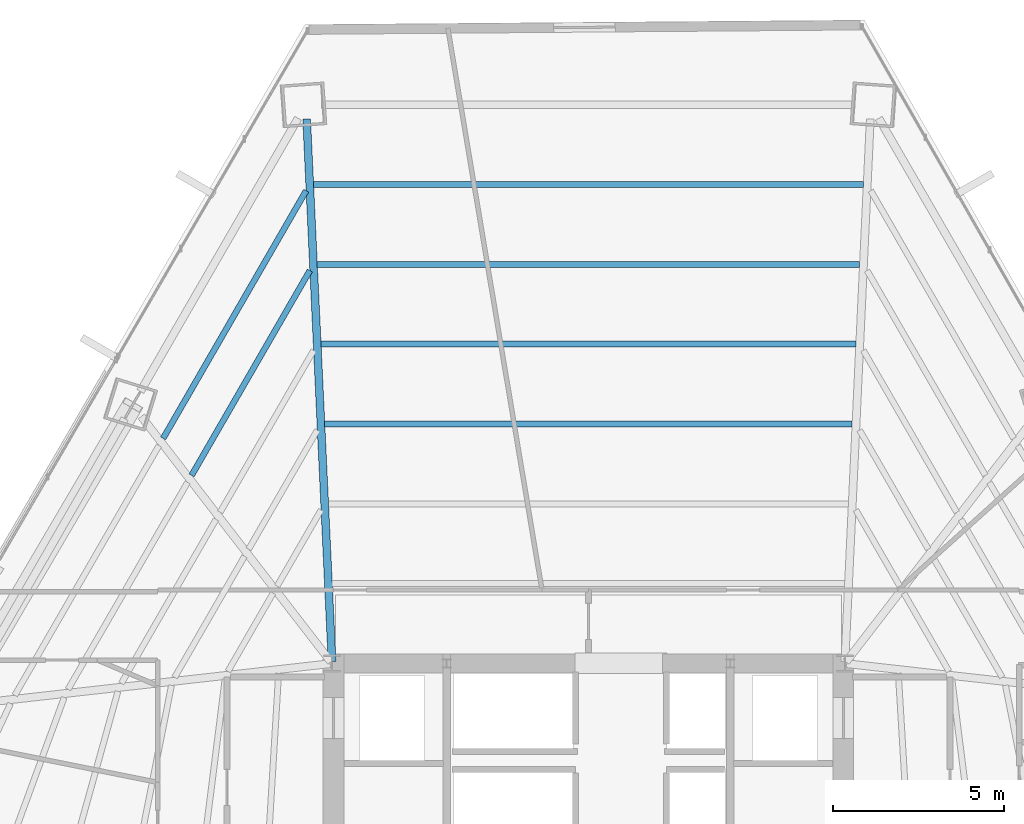
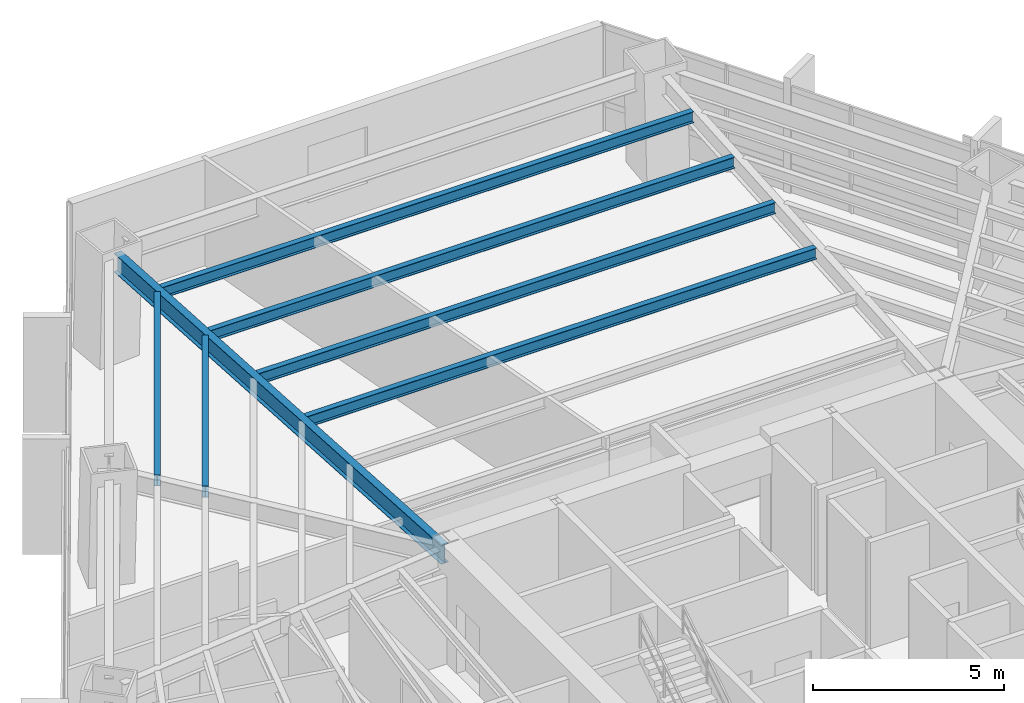
# One storey, part 27 of 38: 7 beams.
"""IFC4 building model written with IfcOpenShell, lengths in metres."""

from ifc_helpers import new_model, si_unit, direction, frame, origin, origin_2d, place, context, subcontext, project, spatial, i_section, extrude, source, transform, mapped, material, material_profile, profile_set, type_object, type_shapes, element, save


model = new_model("IFC4")

# Units and contexts
model_context = context("Model", 3, precision=1e-05, world=origin(), true_north=direction((0.0, 1.0)))
body_context = subcontext(model_context, "Body", "Model", "MODEL_VIEW")
ifc_project = project(units=[si_unit("LENGTHUNIT", "METRE"), si_unit("AREAUNIT", "SQUARE_METRE"), si_unit("VOLUMEUNIT", "CUBIC_METRE"), si_unit("PLANEANGLEUNIT", "RADIAN"), si_unit("MASSUNIT", "GRAM", prefix="KILO")], contexts=[model_context])

# Site, building, storey
site_placement = place(None, origin())
site = spatial("IfcSite", under=ifc_project, at=site_placement, CompositionType="ELEMENT")
building_placement = place(site_placement, origin())
building = spatial("IfcBuilding", under=site, at=building_placement, Name="Caelisora Broadcast Tower", CompositionType="ELEMENT")
storey_placement = place(building_placement, frame((0.0, 0.0, 67.75)))
storey = spatial("IfcBuildingStorey", under=building, at=storey_placement, Name="L17", CompositionType="ELEMENT", Elevation=67.75)

# Beams
ifc_material = material(Name="Steel Grade 350 (AS/NZS 3679.1)", Category="steel")
ifc_material_profile_1 = material_profile(ifc_material, i_section(OverallWidth=0.22802734375, OverallDepth=0.602294921875, WebThickness=0.010498046875, FlangeThickness=0.014892578125, at=origin_2d()), Name="Steel Grade 350 (AS/NZS 3679.1)")
ifc_profile_set_1 = profile_set([ifc_material_profile_1], Name="Steel Grade 350 (AS/NZS 3679.1)")
beam_type_1 = type_object("IfcBeamType", Name="PG04", PredefinedType="BEAM", material=ifc_profile_set_1)
shared_shape_1 = source(origin(), body_context, "Body", "SweptSolid", [
    extrude(i_section(OverallWidth=0.22802734375, OverallDepth=0.602294921875, WebThickness=0.010498046875, FlangeThickness=0.014892578125, at=origin_2d()), origin(), (0.0, 0.0, 1.0), 15.88720703125),
])
type_shapes(beam_type_1, [shared_shape_1])
beam_1_placement = place(storey_placement, frame((30.497314453125, 30.059814453125, 3.098876953125), z_axis=(-0.046762013086, 0.998906058712, 0.0), x_axis=(-0.998906058712, -0.046762013086, 0.0)))
element("IfcBeam", 1, at=beam_1_placement, inside=storey, type_object=beam_type_1, Name="L17 beam PG04", PredefinedType="BEAM", context=body_context, shape_type="MappedRepresentation", body=[
    mapped(shared_shape_1, transform((0.0, 0.0, 0.0), scale=1.0)),
])
ifc_material_profile_2 = material_profile(ifc_material, i_section(OverallWidth=0.172119140625, OverallDepth=0.358642578125, WebThickness=0.008056640625, FlangeThickness=0.012939453125, at=origin_2d()), Name="Steel Grade 350 (AS/NZS 3679.1)")
ifc_profile_set_2 = profile_set([ifc_material_profile_2], Name="Steel Grade 350 (AS/NZS 3679.1)")
beam_type_2 = type_object("IfcBeamType", Name="SB02", PredefinedType="JOIST", material=ifc_profile_set_2)
shared_shape_2 = source(origin(), body_context, "Body", "SweptSolid", [
    extrude(i_section(OverallWidth=0.172119140625, OverallDepth=0.358642578125, WebThickness=0.008056640625, FlangeThickness=0.012939453125, at=origin_2d()), origin(), (0.0, 0.0, 1.0), 15.43359375),
])
beam_2_placement = place(storey_placement, frame((45.716796875, 37.0068359375, 3.220703125), z_axis=(-1.0, 0.0, 0.0), x_axis=(0.0, -1.0, 0.0)))
element("IfcBeam", 2, at=beam_2_placement, inside=storey, type_object=beam_type_2, Name="L17 beam SB02", PredefinedType="JOIST", context=body_context, shape_type="MappedRepresentation", body=[
    mapped(shared_shape_2, transform((0.0, 0.0, 0.0), scale=1.0)),
])
shared_shape_3 = source(origin(), body_context, "Body", "SweptSolid", [
    extrude(i_section(OverallWidth=0.172119140625, OverallDepth=0.358642578125, WebThickness=0.008056640625, FlangeThickness=0.012939453125, at=origin_2d()), origin(), (0.0, 0.0, 1.0), 15.65234375),
])
beam_3_placement = place(storey_placement, frame((45.826171875, 39.34228515625, 3.220703125), z_axis=(-1.0, 0.0, 0.0), x_axis=(0.0, -1.0, 0.0)))
element("IfcBeam", 3, at=beam_3_placement, inside=storey, type_object=beam_type_2, Name="L17 beam SB02", PredefinedType="JOIST", context=body_context, shape_type="MappedRepresentation", body=[
    mapped(shared_shape_3, transform((0.0, 0.0, 0.0), scale=1.0)),
])
shared_shape_4 = source(origin(), body_context, "Body", "SweptSolid", [
    extrude(i_section(OverallWidth=0.172119140625, OverallDepth=0.358642578125, WebThickness=0.008056640625, FlangeThickness=0.012939453125, at=origin_2d()), origin(), (0.0, 0.0, 1.0), 15.87109375),
])
beam_4_placement = place(storey_placement, frame((45.935546875, 41.677978515625, 3.220703125), z_axis=(-1.0, 0.0, 0.0), x_axis=(0.0, -1.0, 0.0)))
element("IfcBeam", 4, at=beam_4_placement, inside=storey, type_object=beam_type_2, Name="L17 beam SB02", PredefinedType="JOIST", context=body_context, shape_type="MappedRepresentation", body=[
    mapped(shared_shape_4, transform((0.0, 0.0, 0.0), scale=1.0)),
])
shared_shape_5 = source(origin(), body_context, "Body", "SweptSolid", [
    extrude(i_section(OverallWidth=0.172119140625, OverallDepth=0.358642578125, WebThickness=0.008056640625, FlangeThickness=0.012939453125, at=origin_2d()), origin(), (0.0, 0.0, 1.0), 16.08984375),
])
beam_5_placement = place(storey_placement, frame((46.044921875, 44.013427734375, 3.220703125), z_axis=(-1.0, 0.0, 0.0), x_axis=(0.0, -1.0, 0.0)))
element("IfcBeam", 5, at=beam_5_placement, inside=storey, type_object=beam_type_2, Name="L17 beam SB02", PredefinedType="JOIST", context=body_context, shape_type="MappedRepresentation", body=[
    mapped(shared_shape_5, transform((0.0, 0.0, 0.0), scale=1.0)),
])
shared_shape_6 = source(origin(), body_context, "Body", "SweptSolid", [
    extrude(i_section(OverallWidth=0.172119140625, OverallDepth=0.358642578125, WebThickness=0.008056640625, FlangeThickness=0.012939453125, at=origin_2d()), origin(), (0.0, 0.0, 1.0), 6.920654296875),
])
beam_6_placement = place(storey_placement, frame((29.849365234375, 41.497802734375, 3.220703125), z_axis=(-0.499990163897, -0.866031082587, 0.0), x_axis=(0.866031082587, -0.499990163897, 0.0)))
element("IfcBeam", 6, at=beam_6_placement, inside=storey, type_object=beam_type_2, Name="L17 beam SB02", PredefinedType="JOIST", context=body_context, shape_type="MappedRepresentation", body=[
    mapped(shared_shape_6, transform((0.0, 0.0, 0.0), scale=1.0)),
])
shared_shape_7 = source(origin(), body_context, "Body", "SweptSolid", [
    extrude(i_section(OverallWidth=0.172119140625, OverallDepth=0.358642578125, WebThickness=0.008056640625, FlangeThickness=0.012939453125, at=origin_2d()), origin(), (0.0, 0.0, 1.0), 8.3701171875),
])
type_shapes(beam_type_2, [shared_shape_2, shared_shape_3, shared_shape_4, shared_shape_5, shared_shape_6, shared_shape_7])
beam_7_placement = place(storey_placement, frame((29.739990234375, 43.833251953125, 3.220703125), z_axis=(-0.499997662712, -0.866026753214, 0.0), x_axis=(0.866026753214, -0.499997662712, 0.0)))
element("IfcBeam", 7, at=beam_7_placement, inside=storey, type_object=beam_type_2, Name="L17 beam SB02", PredefinedType="JOIST", context=body_context, shape_type="MappedRepresentation", body=[
    mapped(shared_shape_7, transform((0.0, 0.0, 0.0), scale=1.0)),
])

save(model, "model.ifc")
